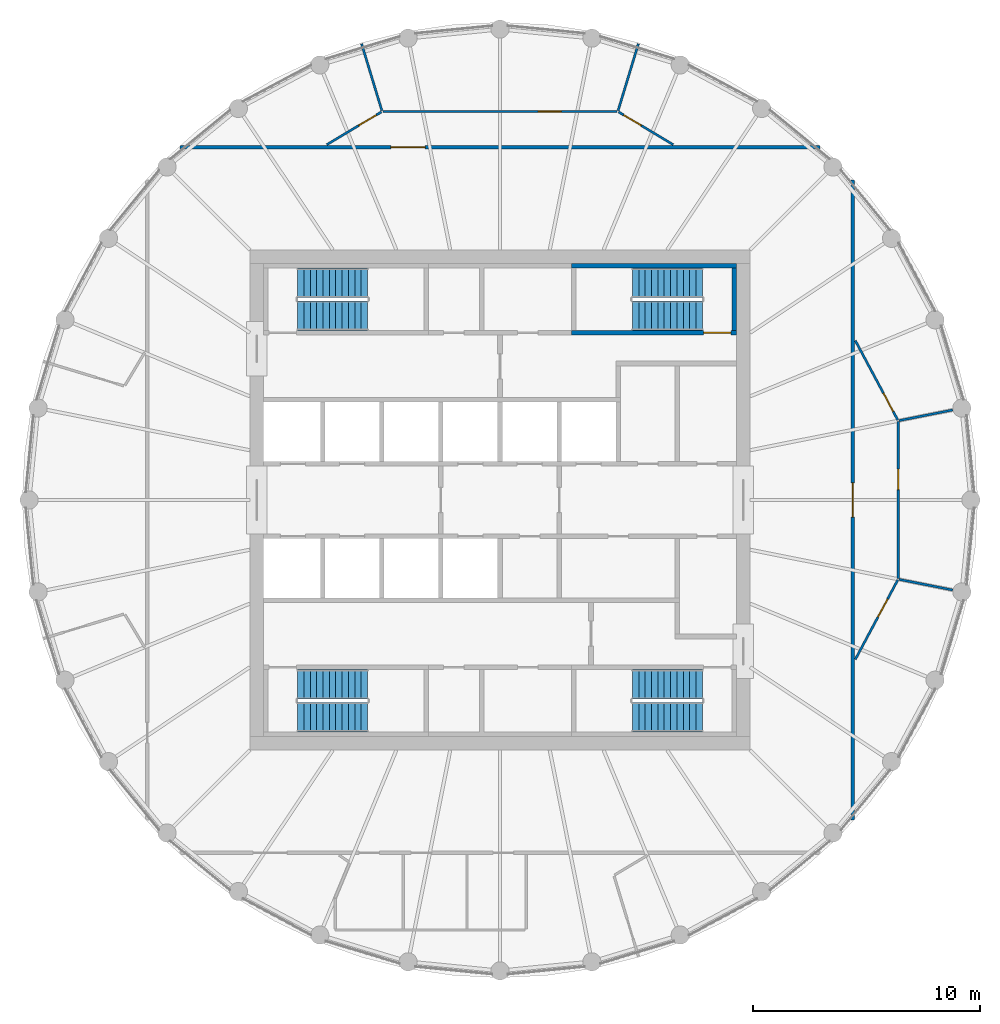
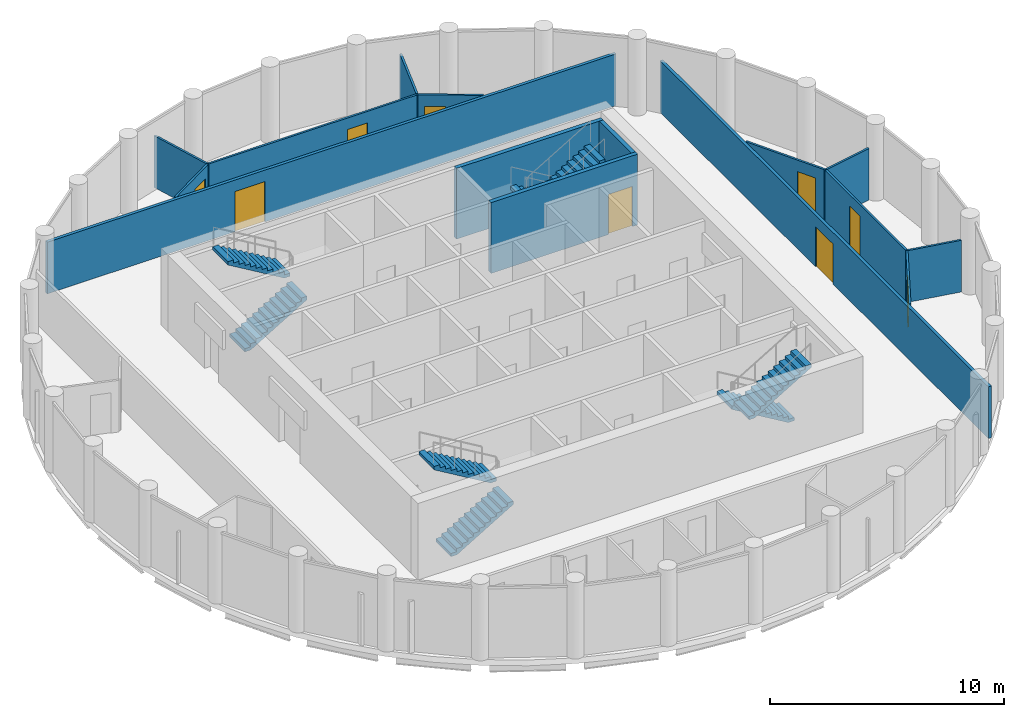
# One storey, part 6 of 7: 15 walls, 9 doors, 8 stair flights, 9 openings, 4 elements without a shape of their own.
"""IFC4 building model written with IfcOpenShell, lengths in metres."""

from ifc_helpers import new_model, si_unit, direction, frame, frame_2d, origin, place, context, subcontext, project, spatial, polyline, rectangle, outline, extrude, material, layer, layer_set, type_object, element, fill, aggregate, save


model = new_model("IFC4")

# Units and contexts
model_context = context("Model", 3, precision=1e-05, world=origin(), true_north=direction((0.0, 1.0)))
body_context = subcontext(model_context, "Body", "Model", "MODEL_VIEW")
ifc_project = project(units=[si_unit("LENGTHUNIT", "METRE"), si_unit("AREAUNIT", "SQUARE_METRE"), si_unit("VOLUMEUNIT", "CUBIC_METRE"), si_unit("PLANEANGLEUNIT", "RADIAN"), si_unit("MASSUNIT", "GRAM", prefix="KILO")], contexts=[model_context])

# Site, building, storey
site_placement = place(None, origin())
site = spatial("IfcSite", under=ifc_project, at=site_placement, CompositionType="ELEMENT")
building_placement = place(site_placement, origin())
building = spatial("IfcBuilding", under=site, at=building_placement, Name="Corvane Civic Tower", CompositionType="ELEMENT")
storey_placement = place(building_placement, frame((0.0, 0.0, 372.5)))
storey = spatial("IfcBuildingStorey", under=building, at=storey_placement, Name="L89", CompositionType="ELEMENT", Elevation=372.5)

# Wall, opening, door
ifc_material_1 = material(Name="Plasterboard")
ifc_layer_1 = layer(ifc_material_1, 0.10009765625)
ifc_layer_set_1 = layer_set([ifc_layer_1], Name="Plasterboard")
wall_type_1 = type_object("IfcWallType", Name="Partition 100 plasterboard on studs", PredefinedType="PARTITIONING", material=ifc_layer_set_1)
wall_1_placement = place(storey_placement, frame((15.619140625, -7.007080078125, 0.0), z_axis=(0.0, 0.0, 1.0), x_axis=(0.471410339005, 0.881913993697, 0.0)))
wall_1 = element("IfcWall", 1, at=wall_1_placement, inside=storey, type_object=wall_type_1, Name="Partition L89.013", PredefinedType="PARTITIONING", context=body_context, shape_type="SweptSolid", body=[
    extrude(rectangle(XDim=3.96044921875, YDim=0.10009765625, at=frame_2d((1.980224609375, 0.0))), origin(), (0.0, 0.0, 1.0), 2.699951171875),
])
opening_1_placement = place(wall_1_placement, frame((2.110107421875, 0.0, 0.0)))
opening_1 = element("IfcOpeningElement", 2, at=opening_1_placement, cuts=wall_1, Name="Opening L89.007", PredefinedType="OPENING", context=body_context, shape_type="SweptSolid", body=[
    extrude(rectangle(XDim=0.89990234375, YDim=2.10009765625, at=frame_2d((0.449951171875, 1.050048828125))), frame((0.0, 0.06005859375, 0.0), z_axis=(0.0, -1.0, 0.0), x_axis=(1.0, 0.0, 0.0)), (0.0, 0.0, 1.0), 0.1201171875),
])
ifc_material_2 = material(Name="Timber", Category="wood")
door_type_1 = type_object("IfcDoorType", Name="Single door 900", OperationType="NOTDEFINED", PredefinedType="DOOR", material=ifc_material_2)
door_1_placement = place(opening_1_placement, frame((0.89990234375, 0.0, 0.0), z_axis=(0.0, 0.0, 1.0), x_axis=(-1.0, 0.0, 0.0)))
door_1 = element("IfcDoor", 3, at=door_1_placement, inside=storey, type_object=door_type_1, Name="Door L89.007", OperationType="SINGLE_SWING_LEFT", OverallHeight=2.10009765625, OverallWidth=0.89990234375, PredefinedType="DOOR", context=body_context, shape_type="SweptSolid", body=[
    extrude(rectangle(XDim=0.89990234375, YDim=2.10009765625, at=frame_2d((0.449951171875, 1.050048828125))), frame((0.0, 0.02490234375, 0.0), z_axis=(0.0, -1.0, 0.0), x_axis=(1.0, 0.0, 0.0)), (0.0, 0.0, 1.0), 0.050048828125),
])
fill(opening_1, door_1)

# Wall
wall_2_placement = place(storey_placement, frame((17.543701171875, -3.48974609375, 0.0), z_axis=(0.0, 0.0, 1.0), x_axis=(0.980783378237, -0.195099884606, 0.0)))
element("IfcWall", 4, at=wall_2_placement, inside=storey, type_object=wall_type_1, Name="Partition L89.016", PredefinedType="PARTITIONING", context=body_context, shape_type="SweptSolid", body=[
    extrude(rectangle(XDim=2.402587890625, YDim=0.10009765625, at=frame_2d((1.201171875, 0.0))), origin(), (0.0, 0.0, 1.0), 2.699951171875),
])

# Wall, opening, door
wall_3_placement = place(storey_placement, frame((17.503662109375, -3.440673828125, 0.0), z_axis=(0.0, 0.0, 1.0), x_axis=(0.0, 1.0, 0.0)))
wall_3 = element("IfcWall", 5, at=wall_3_placement, inside=storey, type_object=wall_type_1, Name="Partition L89.017", PredefinedType="PARTITIONING", context=body_context, shape_type="SweptSolid", body=[
    extrude(rectangle(XDim=6.88134765625, YDim=0.10009765625, at=frame_2d((3.440673828125, 0.0))), origin(), (0.0, 0.0, 1.0), 2.699951171875),
])
opening_2_placement = place(wall_3_placement, frame((3.8974609375, 0.0, 0.0)))
opening_2 = element("IfcOpeningElement", 6, at=opening_2_placement, cuts=wall_3, Name="Opening L89.006", PredefinedType="OPENING", context=body_context, shape_type="SweptSolid", body=[
    extrude(rectangle(XDim=0.89990234375, YDim=2.10009765625, at=frame_2d((0.449951171875, 1.050048828125))), frame((0.0, 0.06005859375, 0.0), z_axis=(0.0, -1.0, 0.0), x_axis=(1.0, 0.0, 0.0)), (0.0, 0.0, 1.0), 0.1201171875),
])
door_2_placement = place(opening_2_placement, frame((0.89990234375, 0.0, 0.0), z_axis=(0.0, 0.0, 1.0), x_axis=(-1.0, 0.0, 0.0)))
door_2 = element("IfcDoor", 7, at=door_2_placement, inside=storey, type_object=door_type_1, Name="Door L89.006", OperationType="SINGLE_SWING_RIGHT", OverallHeight=2.10009765625, OverallWidth=0.89990234375, PredefinedType="DOOR", context=body_context, shape_type="SweptSolid", body=[
    extrude(rectangle(XDim=0.89990234375, YDim=2.10009765625, at=frame_2d((0.449951171875, 1.050048828125))), frame((0.0, 0.02490234375, 0.0), z_axis=(0.0, -1.0, 0.0), x_axis=(1.0, 0.0, 0.0)), (0.0, 0.0, 1.0), 0.050048828125),
])
fill(opening_2, door_2)

# Wall
wall_4_placement = place(storey_placement, frame((17.543701171875, 3.48974609375, 0.0), z_axis=(0.0, 0.0, 1.0), x_axis=(0.980783378237, 0.195099884606, 0.0)))
element("IfcWall", 8, at=wall_4_placement, inside=storey, type_object=wall_type_1, Name="Partition L89.018", PredefinedType="PARTITIONING", context=body_context, shape_type="SweptSolid", body=[
    extrude(rectangle(XDim=2.402587890625, YDim=0.10009765625, at=frame_2d((1.201171875, 0.0))), origin(), (0.0, 0.0, 1.0), 2.699951171875),
])

# Wall, opening, door
wall_5_placement = place(storey_placement, frame((15.619140625, 7.007080078125, 0.0), z_axis=(0.0, 0.0, 1.0), x_axis=(0.471410339005, -0.881913993697, 0.0)))
wall_5 = element("IfcWall", 9, at=wall_5_placement, inside=storey, type_object=wall_type_1, Name="Partition L89.019", PredefinedType="PARTITIONING", context=body_context, shape_type="SweptSolid", body=[
    extrude(rectangle(XDim=3.96044921875, YDim=0.10009765625, at=frame_2d((1.980224609375, 0.0))), origin(), (0.0, 0.0, 1.0), 2.699951171875),
])
opening_3_placement = place(wall_5_placement, frame((2.624267578125, 0.0, 0.0)))
opening_3 = element("IfcOpeningElement", 10, at=opening_3_placement, cuts=wall_5, Name="Opening L89.005", PredefinedType="OPENING", context=body_context, shape_type="SweptSolid", body=[
    extrude(rectangle(XDim=0.89990234375, YDim=2.10009765625, at=frame_2d((0.449951171875, 1.050048828125))), frame((0.0, 0.06005859375, 0.0), z_axis=(0.0, -1.0, 0.0), x_axis=(1.0, 0.0, 0.0)), (0.0, 0.0, 1.0), 0.1201171875),
])
door_3_placement = place(opening_3_placement, origin())
door_3 = element("IfcDoor", 11, at=door_3_placement, inside=storey, type_object=door_type_1, Name="Door L89.005", OperationType="SINGLE_SWING_LEFT", OverallHeight=2.10009765625, OverallWidth=0.89990234375, PredefinedType="DOOR", context=body_context, shape_type="SweptSolid", body=[
    extrude(rectangle(XDim=0.89990234375, YDim=2.10009765625, at=frame_2d((0.449951171875, 1.050048828125))), frame((0.0, 0.02490234375, 0.0), z_axis=(0.0, -1.0, 0.0), x_axis=(1.0, 0.0, 0.0)), (0.0, 0.0, 1.0), 0.050048828125),
])
fill(opening_3, door_3)

wall_6_placement = place(storey_placement, frame((-7.616455078125, 15.617919921875, 0.0), z_axis=(0.0, 0.0, 1.0), x_axis=(0.857723575737, 0.514111143262, 0.0)))
wall_6 = element("IfcWall", 12, at=wall_6_placement, inside=storey, type_object=wall_type_1, Name="Partition L89.023", PredefinedType="PARTITIONING", context=body_context, shape_type="SweptSolid", body=[
    extrude(rectangle(XDim=2.80078125, YDim=0.10009765625, at=frame_2d((1.400390625, 0.0))), origin(), (0.0, 0.0, 1.0), 2.699951171875),
])
opening_4_placement = place(wall_6_placement, frame((1.639892578125, 0.0, 0.0)))
opening_4 = element("IfcOpeningElement", 13, at=opening_4_placement, cuts=wall_6, Name="Opening L89.001", PredefinedType="OPENING", context=body_context, shape_type="SweptSolid", body=[
    extrude(rectangle(XDim=0.89990234375, YDim=2.10009765625, at=frame_2d((0.449951171875, 1.050048828125))), frame((0.0, 0.06005859375, 0.0), z_axis=(0.0, -1.0, 0.0), x_axis=(1.0, 0.0, 0.0)), (0.0, 0.0, 1.0), 0.1201171875),
])
door_4_placement = place(opening_4_placement, origin())
door_4 = element("IfcDoor", 14, at=door_4_placement, inside=storey, type_object=door_type_1, Name="Door L89.001", OperationType="SINGLE_SWING_LEFT", OverallHeight=2.10009765625, OverallWidth=0.89990234375, PredefinedType="DOOR", context=body_context, shape_type="SweptSolid", body=[
    extrude(rectangle(XDim=0.89990234375, YDim=2.10009765625, at=frame_2d((0.449951171875, 1.050048828125))), frame((0.0, 0.02490234375, 0.0), z_axis=(0.0, -1.0, 0.0), x_axis=(1.0, 0.0, 0.0)), (0.0, 0.0, 1.0), 0.050048828125),
])
fill(opening_4, door_4)

wall_7_placement = place(storey_placement, frame((5.214111328125, 17.057861328125, 0.0), z_axis=(0.0, 0.0, 1.0), x_axis=(0.857723575737, -0.514111143262, 0.0)))
wall_7 = element("IfcWall", 15, at=wall_7_placement, inside=storey, type_object=wall_type_1, Name="Partition L89.024", PredefinedType="PARTITIONING", context=body_context, shape_type="SweptSolid", body=[
    extrude(rectangle(XDim=2.80078125, YDim=0.10009765625, at=frame_2d((1.400390625, 0.0))), origin(), (0.0, 0.0, 1.0), 2.699951171875),
])
opening_5_placement = place(wall_7_placement, frame((0.260986328125, 0.0, 0.0)))
opening_5 = element("IfcOpeningElement", 16, at=opening_5_placement, cuts=wall_7, Name="Opening L89.003", PredefinedType="OPENING", context=body_context, shape_type="SweptSolid", body=[
    extrude(rectangle(XDim=0.89990234375, YDim=2.10009765625, at=frame_2d((0.449951171875, 1.050048828125))), frame((0.0, 0.06005859375, 0.0), z_axis=(0.0, -1.0, 0.0), x_axis=(1.0, 0.0, 0.0)), (0.0, 0.0, 1.0), 0.1201171875),
])
door_5_placement = place(opening_5_placement, origin())
door_5 = element("IfcDoor", 17, at=door_5_placement, inside=storey, type_object=door_type_1, Name="Door L89.003", OperationType="SINGLE_SWING_RIGHT", OverallHeight=2.10009765625, OverallWidth=0.89990234375, PredefinedType="DOOR", context=body_context, shape_type="SweptSolid", body=[
    extrude(rectangle(XDim=0.89990234375, YDim=2.10009765625, at=frame_2d((0.449951171875, 1.050048828125))), frame((0.0, 0.02490234375, 0.0), z_axis=(0.0, -1.0, 0.0), x_axis=(1.0, 0.0, 0.0)), (0.0, 0.0, 1.0), 0.050048828125),
])
fill(opening_5, door_5)

wall_8_placement = place(storey_placement, frame((-5.1435546875, 17.077880859375, 0.0), z_axis=(0.0, 0.0, 1.0), x_axis=(1.0, 0.0, 0.0)))
wall_8 = element("IfcWall", 18, at=wall_8_placement, inside=storey, type_object=wall_type_1, Name="Partition L89.025", PredefinedType="PARTITIONING", context=body_context, shape_type="SweptSolid", body=[
    extrude(rectangle(XDim=10.287109375, YDim=0.10009765625, at=frame_2d((5.1435546875, 0.0))), origin(), (0.0, 0.0, 1.0), 2.699951171875),
])
opening_6_placement = place(wall_8_placement, frame((6.833740234375, 0.0, 0.0)))
opening_6 = element("IfcOpeningElement", 19, at=opening_6_placement, cuts=wall_8, Name="Opening L89.002", PredefinedType="OPENING", context=body_context, shape_type="SweptSolid", body=[
    extrude(rectangle(XDim=1.0, YDim=2.10009765625, at=frame_2d((0.5, 1.050048828125))), frame((0.0, 0.06005859375, 0.0), z_axis=(0.0, -1.0, 0.0), x_axis=(1.0, 0.0, 0.0)), (0.0, 0.0, 1.0), 0.1201171875),
])
ifc_material_3 = material(Name="Timber", Category="wood")
door_type_2 = type_object("IfcDoorType", Name="Single door 1000", OperationType="NOTDEFINED", PredefinedType="DOOR", material=ifc_material_3)
door_6_placement = place(opening_6_placement, origin())
door_6 = element("IfcDoor", 20, at=door_6_placement, inside=storey, type_object=door_type_2, Name="Door L89.002", OperationType="SINGLE_SWING_LEFT", OverallHeight=2.10009765625, OverallWidth=1.0, PredefinedType="DOOR", context=body_context, shape_type="SweptSolid", body=[
    extrude(rectangle(XDim=1.0, YDim=2.10009765625, at=frame_2d((0.5, 1.050048828125))), frame((0.0, 0.02490234375, 0.0), z_axis=(0.0, -1.0, 0.0), x_axis=(1.0, 0.0, 0.0)), (0.0, 0.0, 1.0), 0.050048828125),
])
fill(opening_6, door_6)

# Walls
for number, where, z_axis, x_axis, name in (
    (21, (-6.08154296875, 20.048095703125, 0.0), (0.0, 0.0, 1.0), (0.290277111957, -0.956942630608, 0.0), "Partition L89.026"),
    (22, (5.19189453125, 17.115234375, 0.0), (0.0, 0.0, 1.0), (0.290277111957, 0.956942630608, 0.0), "Partition L89.027"),
):
    element("IfcWall", number, at=place(storey_placement, frame(where, z_axis=z_axis, x_axis=x_axis)), inside=storey, type_object=wall_type_1, Name=name, PredefinedType="PARTITIONING", context=body_context, shape_type="SweptSolid", body=[
        extrude(rectangle(XDim=3.06494140625, YDim=0.10009765625, at=frame_2d((1.532470703125, 0.0))), origin(), (0.0, 0.0, 1.0), 2.699951171875),
    ])

# Wall, opening, door
ifc_material_4 = material(Name="Concrete C50/60", Category="concrete")
ifc_layer_2 = layer(ifc_material_4, 0.199951171875)
ifc_layer_set_2 = layer_set([ifc_layer_2], Name="Concrete C50/60")
wall_type_2 = type_object("IfcWallType", Name="ST-WALL-200", PredefinedType="SHEAR", material=ifc_layer_set_2)
wall_9_placement = place(storey_placement, frame((3.14990234375, 7.35009765625, 0.0), z_axis=(0.0, 0.0, 1.0), x_axis=(1.0, 0.0, 0.0)))
wall_9 = element("IfcWall", 23, at=wall_9_placement, inside=storey, type_object=wall_type_2, Name="L89 stair enclosure wall", PredefinedType="SHEAR", context=body_context, shape_type="SweptSolid", body=[
    extrude(rectangle(XDim=7.25, YDim=0.199951171875, at=frame_2d((3.625, 0.0))), origin(), (0.0, 0.0, 1.0), 3.699951171875),
])
opening_7_placement = place(wall_9_placement, frame((5.800048828125, 0.0, 0.0)))
opening_7 = element("IfcOpeningElement", 24, at=opening_7_placement, cuts=wall_9, Name="Opening L89.C10", PredefinedType="OPENING", context=body_context, shape_type="SweptSolid", body=[
    extrude(rectangle(XDim=1.199951171875, YDim=2.10009765625, at=frame_2d((0.60009765625, 1.050048828125))), frame((0.0, 0.10986328125, 0.0), z_axis=(0.0, -1.0, 0.0), x_axis=(1.0, 0.0, 0.0)), (0.0, 0.0, 1.0), 0.219970703125),
])
ifc_material_5 = material(Name="Steel fire door leaf", Category="steel")
door_type_3 = type_object("IfcDoorType", Name="ST-DOOR-1200", OperationType="SINGLE_SWING_RIGHT", PredefinedType="DOOR", material=ifc_material_5)
door_7_placement = place(opening_7_placement, origin())
door_7 = element("IfcDoor", 25, at=door_7_placement, inside=storey, type_object=door_type_3, Name="L89 stair door", OperationType="SINGLE_SWING_RIGHT", OverallHeight=2.10009765625, OverallWidth=1.199951171875, PredefinedType="DOOR", context=body_context, shape_type="SweptSolid", body=[
    extrude(rectangle(XDim=1.199951171875, YDim=2.10009765625, at=frame_2d((0.60009765625, 1.050048828125))), frame((0.0, 0.02490234375, 0.0), z_axis=(0.0, -1.0, 0.0), x_axis=(1.0, 0.0, 0.0)), (0.0, 0.0, 1.0), 0.050048828125),
])
fill(opening_7, door_7)

# Walls
wall_10_placement = place(storey_placement, origin())
element("IfcWall", 26, at=wall_10_placement, inside=storey, type_object=wall_type_2, Name="L89 stair enclosure wall", PredefinedType="SHEAR", context=body_context, shape_type="SweptSolid", body=[
    extrude(outline(polyline([(10.39990234375, 10.199951171875), (3.14990234375, 10.199951171875), (3.14990234375, 10.39990234375), (10.39990234375, 10.39990234375), (10.39990234375, 10.199951171875)])), origin(), (0.0, 0.0, 1.0), 3.699951171875),
])
wall_11_placement = place(storey_placement, origin())
element("IfcWall", 27, at=wall_11_placement, inside=storey, type_object=wall_type_2, Name="L89 stair enclosure wall", PredefinedType="SHEAR", context=body_context, shape_type="SweptSolid", body=[
    extrude(outline(polyline([(10.39990234375, 7.449951171875), (10.199951171875, 7.449951171875), (10.199951171875, 10.199951171875), (10.39990234375, 10.199951171875), (10.39990234375, 7.449951171875)])), origin(), (0.0, 0.0, 1.0), 3.699951171875),
])

# Wall, opening, door
ifc_material_6 = material(Name="Plasterboard")
ifc_layer_3 = layer(ifc_material_6, 0.14990234375)
ifc_layer_set_3 = layer_set([ifc_layer_3], Name="Plasterboard")
wall_type_3 = type_object("IfcWallType", Name="Tenancy wall 150 EI 60", PredefinedType="PARTITIONING", material=ifc_layer_set_3)
wall_12_placement = place(storey_placement, frame((15.5, -14.05712890625, 0.0), z_axis=(0.0, 0.0, 1.0), x_axis=(0.0, 1.0, 0.0)))
wall_12 = element("IfcWall", 28, at=wall_12_placement, inside=storey, type_object=wall_type_3, Name="Partition L89.012", PredefinedType="PARTITIONING", context=body_context, shape_type="SweptSolid", body=[
    extrude(rectangle(XDim=28.1142578125, YDim=0.14990234375, at=frame_2d((14.05712890625, 0.0))), origin(), (0.0, 0.0, 1.0), 2.699951171875),
])
opening_8_placement = place(wall_12_placement, frame((13.30712890625, 0.0, 0.0)))
opening_8 = element("IfcOpeningElement", 29, at=opening_8_placement, cuts=wall_12, Name="Opening L89.008", PredefinedType="OPENING", context=body_context, shape_type="SweptSolid", body=[
    extrude(rectangle(XDim=1.5, YDim=2.10009765625, at=frame_2d((0.75, 1.050048828125))), frame((0.0, 0.0849609375, 0.0), z_axis=(0.0, -1.0, 0.0), x_axis=(1.0, 0.0, 0.0)), (0.0, 0.0, 1.0), 0.169921875),
])
ifc_material_7 = material(Name="Steel and timber", Category="steel")
door_type_4 = type_object("IfcDoorType", Name="Fire door FD60 double 1500", OperationType="NOTDEFINED", PredefinedType="DOOR", material=ifc_material_7)
door_8_placement = place(opening_8_placement, frame((1.5, 0.0, 0.0), z_axis=(0.0, 0.0, 1.0), x_axis=(-1.0, 0.0, 0.0)))
door_8 = element("IfcDoor", 30, at=door_8_placement, inside=storey, type_object=door_type_4, Name="Door L89.008", OperationType="DOUBLE_DOOR_SINGLE_SWING", OverallHeight=2.10009765625, OverallWidth=1.5, PredefinedType="DOOR", context=body_context, shape_type="SweptSolid", body=[
    extrude(rectangle(XDim=1.5, YDim=2.10009765625, at=frame_2d((0.75, 1.050048828125))), frame((0.0, 0.02490234375, 0.0), z_axis=(0.0, -1.0, 0.0), x_axis=(1.0, 0.0, 0.0)), (0.0, 0.0, 1.0), 0.050048828125),
])
fill(opening_8, door_8)

wall_13_placement = place(storey_placement, frame((-14.05712890625, 15.5, 0.0), z_axis=(0.0, 0.0, 1.0), x_axis=(1.0, 0.0, 0.0)))
wall_13 = element("IfcWall", 31, at=wall_13_placement, inside=storey, type_object=wall_type_3, Name="Partition L89.022", PredefinedType="PARTITIONING", context=body_context, shape_type="SweptSolid", body=[
    extrude(rectangle(XDim=28.1142578125, YDim=0.14990234375, at=frame_2d((14.05712890625, 0.0))), origin(), (0.0, 0.0, 1.0), 2.699951171875),
])
opening_9_placement = place(wall_13_placement, frame((9.263916015625, 0.0, 0.0)))
opening_9 = element("IfcOpeningElement", 32, at=opening_9_placement, cuts=wall_13, Name="Opening L89.004", PredefinedType="OPENING", context=body_context, shape_type="SweptSolid", body=[
    extrude(rectangle(XDim=1.5, YDim=2.10009765625, at=frame_2d((0.75, 1.050048828125))), frame((0.0, 0.0849609375, 0.0), z_axis=(0.0, -1.0, 0.0), x_axis=(1.0, 0.0, 0.0)), (0.0, 0.0, 1.0), 0.169921875),
])
door_9_placement = place(opening_9_placement, origin())
door_9 = element("IfcDoor", 33, at=door_9_placement, inside=storey, type_object=door_type_4, Name="Door L89.004", OperationType="DOUBLE_DOOR_SINGLE_SWING", OverallHeight=2.10009765625, OverallWidth=1.5, PredefinedType="DOOR", context=body_context, shape_type="SweptSolid", body=[
    extrude(rectangle(XDim=1.5, YDim=2.10009765625, at=frame_2d((0.75, 1.050048828125))), frame((0.0, 0.02490234375, 0.0), z_axis=(0.0, -1.0, 0.0), x_axis=(1.0, 0.0, 0.0)), (0.0, 0.0, 1.0), 0.050048828125),
])
fill(opening_9, door_9)

# Stair, stair flights
ifc_material_8 = material(Name="Concrete C40/50", Category="concrete")
stair_type = type_object("IfcStairType", Name="ST-STAIR-HALFTURN", PredefinedType="HALF_TURN_STAIR", material=ifc_material_8)
stair_1_placement = place(storey_placement, origin())
stair_1 = element("IfcStair", 34, at=stair_1_placement, inside=storey, type_object=stair_type, Name="L89 Exit stair ST1", PredefinedType="HALF_TURN_STAIR")
ifc_material_9 = material(Name="Concrete C40/50", Category="concrete")
stair_flight_type = type_object("IfcStairFlightType", Name="ST-FLIGHT-RC", PredefinedType="STRAIGHT", material=ifc_material_9)
stair_flight_1_placement = place(storey_placement, frame((8.89990234375, 9.550048828125, 0.0), z_axis=(0.0, 0.0, 1.0), x_axis=(-1.0, 0.0, 0.0)))
stair_flight_1 = element("IfcStairFlight", 35, at=stair_flight_1_placement, type_object=stair_flight_type, Name="ST1 flight 1", NumberOfRisers=12, NumberOfTreads=11, PredefinedType="STRAIGHT", RiserHeight=0.166666667, TreadLength=0.28, context=body_context, shape_type="SweptSolid", body=[
    extrude(outline(polyline([(0.0, 0.0), (0.0, 0.166748046875), (0.280029296875, 0.166748046875), (0.280029296875, 0.333251953125), (0.56005859375, 0.333251953125), (0.56005859375, 0.5), (0.840087890625, 0.5), (0.840087890625, 0.666748046875), (1.1201171875, 0.666748046875), (1.1201171875, 0.833251953125), (1.39990234375, 0.833251953125), (1.39990234375, 1.0), (1.679931640625, 1.0), (1.679931640625, 1.166748046875), (1.9599609375, 1.166748046875), (1.9599609375, 1.333251953125), (2.239990234375, 1.333251953125), (2.239990234375, 1.5), (2.52001953125, 1.5), (2.52001953125, 1.666748046875), (2.800048828125, 1.666748046875), (2.800048828125, 1.833251953125), (3.080078125, 1.833251953125), (3.080078125, 2.0), (3.080078125, 1.658935546875), (0.29296875, 0.0), (0.0, 0.0)])), frame((0.0, 0.64990234375, 0.0), z_axis=(0.0, -1.0, 0.0), x_axis=(1.0, 0.0, 0.0)), (0.0, 0.0, 1.0), 1.300048828125),
])
stair_flight_2_placement = place(storey_placement, frame((5.820068359375, 8.10009765625, 2.0), z_axis=(0.0, 0.0, 1.0), x_axis=(1.0, 0.0, 0.0)))
stair_flight_2 = element("IfcStairFlight", 36, at=stair_flight_2_placement, type_object=stair_flight_type, Name="ST1 flight 2", NumberOfRisers=12, NumberOfTreads=11, PredefinedType="STRAIGHT", RiserHeight=0.166666667, TreadLength=0.28, context=body_context, shape_type="SweptSolid", body=[
    extrude(outline(polyline([(0.0, 0.0), (0.0, 0.166748046875), (0.280029296875, 0.166748046875), (0.280029296875, 0.333251953125), (0.56005859375, 0.333251953125), (0.56005859375, 0.5), (0.840087890625, 0.5), (0.840087890625, 0.666748046875), (1.1201171875, 0.666748046875), (1.1201171875, 0.833251953125), (1.39990234375, 0.833251953125), (1.39990234375, 1.0), (1.679931640625, 1.0), (1.679931640625, 1.166748046875), (1.9599609375, 1.166748046875), (1.9599609375, 1.333251953125), (2.239990234375, 1.333251953125), (2.239990234375, 1.5), (2.52001953125, 1.5), (2.52001953125, 1.666748046875), (2.800048828125, 1.666748046875), (2.800048828125, 1.833251953125), (3.080078125, 1.833251953125), (3.080078125, 2.0), (3.080078125, 1.658935546875), (0.29296875, 0.0), (0.0, 0.0)])), frame((0.0, 0.64990234375, 0.0), z_axis=(0.0, -1.0, 0.0), x_axis=(1.0, 0.0, 0.0)), (0.0, 0.0, 1.0), 1.300048828125),
])
aggregate(stair_1, [stair_flight_1, stair_flight_2])

stair_2_placement = place(storey_placement, origin())
stair_2 = element("IfcStair", 37, at=stair_2_placement, inside=storey, type_object=stair_type, Name="L89 Exit stair ST2", PredefinedType="HALF_TURN_STAIR")
stair_flight_3_placement = place(storey_placement, frame((8.89990234375, -8.10009765625, 0.0), z_axis=(0.0, 0.0, 1.0), x_axis=(-1.0, 0.0, 0.0)))
stair_flight_3 = element("IfcStairFlight", 38, at=stair_flight_3_placement, type_object=stair_flight_type, Name="ST2 flight 1", NumberOfRisers=12, NumberOfTreads=11, PredefinedType="STRAIGHT", RiserHeight=0.166666667, TreadLength=0.28, context=body_context, shape_type="SweptSolid", body=[
    extrude(outline(polyline([(0.0, 0.0), (0.0, 0.166748046875), (0.280029296875, 0.166748046875), (0.280029296875, 0.333251953125), (0.56005859375, 0.333251953125), (0.56005859375, 0.5), (0.840087890625, 0.5), (0.840087890625, 0.666748046875), (1.1201171875, 0.666748046875), (1.1201171875, 0.833251953125), (1.39990234375, 0.833251953125), (1.39990234375, 1.0), (1.679931640625, 1.0), (1.679931640625, 1.166748046875), (1.9599609375, 1.166748046875), (1.9599609375, 1.333251953125), (2.239990234375, 1.333251953125), (2.239990234375, 1.5), (2.52001953125, 1.5), (2.52001953125, 1.666748046875), (2.800048828125, 1.666748046875), (2.800048828125, 1.833251953125), (3.080078125, 1.833251953125), (3.080078125, 2.0), (3.080078125, 1.658935546875), (0.29296875, 0.0), (0.0, 0.0)])), frame((0.0, 0.64990234375, 0.0), z_axis=(0.0, -1.0, 0.0), x_axis=(1.0, 0.0, 0.0)), (0.0, 0.0, 1.0), 1.300048828125),
])
stair_flight_4_placement = place(storey_placement, frame((5.820068359375, -9.550048828125, 2.0), z_axis=(0.0, 0.0, 1.0), x_axis=(1.0, 0.0, 0.0)))
stair_flight_4 = element("IfcStairFlight", 39, at=stair_flight_4_placement, type_object=stair_flight_type, Name="ST2 flight 2", NumberOfRisers=12, NumberOfTreads=11, PredefinedType="STRAIGHT", RiserHeight=0.166666667, TreadLength=0.28, context=body_context, shape_type="SweptSolid", body=[
    extrude(outline(polyline([(0.0, 0.0), (0.0, 0.166748046875), (0.280029296875, 0.166748046875), (0.280029296875, 0.333251953125), (0.56005859375, 0.333251953125), (0.56005859375, 0.5), (0.840087890625, 0.5), (0.840087890625, 0.666748046875), (1.1201171875, 0.666748046875), (1.1201171875, 0.833251953125), (1.39990234375, 0.833251953125), (1.39990234375, 1.0), (1.679931640625, 1.0), (1.679931640625, 1.166748046875), (1.9599609375, 1.166748046875), (1.9599609375, 1.333251953125), (2.239990234375, 1.333251953125), (2.239990234375, 1.5), (2.52001953125, 1.5), (2.52001953125, 1.666748046875), (2.800048828125, 1.666748046875), (2.800048828125, 1.833251953125), (3.080078125, 1.833251953125), (3.080078125, 2.0), (3.080078125, 1.658935546875), (0.29296875, 0.0), (0.0, 0.0)])), frame((0.0, 0.64990234375, 0.0), z_axis=(0.0, -1.0, 0.0), x_axis=(1.0, 0.0, 0.0)), (0.0, 0.0, 1.0), 1.300048828125),
])
aggregate(stair_2, [stair_flight_3, stair_flight_4])

stair_3_placement = place(storey_placement, origin())
stair_3 = element("IfcStair", 40, at=stair_3_placement, inside=storey, type_object=stair_type, Name="L89 Exit stair ST3", PredefinedType="HALF_TURN_STAIR")
stair_flight_5_placement = place(storey_placement, frame((-8.89990234375, -9.550048828125, 0.0), z_axis=(0.0, 0.0, 1.0), x_axis=(1.0, 0.0, 0.0)))
stair_flight_5 = element("IfcStairFlight", 41, at=stair_flight_5_placement, type_object=stair_flight_type, Name="ST3 flight 1", NumberOfRisers=12, NumberOfTreads=11, PredefinedType="STRAIGHT", RiserHeight=0.166666667, TreadLength=0.28, context=body_context, shape_type="SweptSolid", body=[
    extrude(outline(polyline([(0.0, 0.0), (0.0, 0.166748046875), (0.280029296875, 0.166748046875), (0.280029296875, 0.333251953125), (0.56005859375, 0.333251953125), (0.56005859375, 0.5), (0.840087890625, 0.5), (0.840087890625, 0.666748046875), (1.1201171875, 0.666748046875), (1.1201171875, 0.833251953125), (1.39990234375, 0.833251953125), (1.39990234375, 1.0), (1.679931640625, 1.0), (1.679931640625, 1.166748046875), (1.9599609375, 1.166748046875), (1.9599609375, 1.333251953125), (2.239990234375, 1.333251953125), (2.239990234375, 1.5), (2.52001953125, 1.5), (2.52001953125, 1.666748046875), (2.800048828125, 1.666748046875), (2.800048828125, 1.833251953125), (3.080078125, 1.833251953125), (3.080078125, 2.0), (3.080078125, 1.658935546875), (0.29296875, 0.0), (0.0, 0.0)])), frame((0.0, 0.64990234375, 0.0), z_axis=(0.0, -1.0, 0.0), x_axis=(1.0, 0.0, 0.0)), (0.0, 0.0, 1.0), 1.300048828125),
])
stair_flight_6_placement = place(storey_placement, frame((-5.820068359375, -8.10009765625, 2.0), z_axis=(0.0, 0.0, 1.0), x_axis=(-1.0, 0.0, 0.0)))
stair_flight_6 = element("IfcStairFlight", 42, at=stair_flight_6_placement, type_object=stair_flight_type, Name="ST3 flight 2", NumberOfRisers=12, NumberOfTreads=11, PredefinedType="STRAIGHT", RiserHeight=0.166666667, TreadLength=0.28, context=body_context, shape_type="SweptSolid", body=[
    extrude(outline(polyline([(0.0, 0.0), (0.0, 0.166748046875), (0.280029296875, 0.166748046875), (0.280029296875, 0.333251953125), (0.56005859375, 0.333251953125), (0.56005859375, 0.5), (0.840087890625, 0.5), (0.840087890625, 0.666748046875), (1.1201171875, 0.666748046875), (1.1201171875, 0.833251953125), (1.39990234375, 0.833251953125), (1.39990234375, 1.0), (1.679931640625, 1.0), (1.679931640625, 1.166748046875), (1.9599609375, 1.166748046875), (1.9599609375, 1.333251953125), (2.239990234375, 1.333251953125), (2.239990234375, 1.5), (2.52001953125, 1.5), (2.52001953125, 1.666748046875), (2.800048828125, 1.666748046875), (2.800048828125, 1.833251953125), (3.080078125, 1.833251953125), (3.080078125, 2.0), (3.080078125, 1.658935546875), (0.29296875, 0.0), (0.0, 0.0)])), frame((0.0, 0.64990234375, 0.0), z_axis=(0.0, -1.0, 0.0), x_axis=(1.0, 0.0, 0.0)), (0.0, 0.0, 1.0), 1.300048828125),
])
aggregate(stair_3, [stair_flight_5, stair_flight_6])

stair_4_placement = place(storey_placement, origin())
stair_4 = element("IfcStair", 43, at=stair_4_placement, inside=storey, type_object=stair_type, Name="L89 Exit stair ST4", PredefinedType="HALF_TURN_STAIR")
stair_flight_7_placement = place(storey_placement, frame((-8.89990234375, 8.10009765625, 0.0), z_axis=(0.0, 0.0, 1.0), x_axis=(1.0, 0.0, 0.0)))
stair_flight_7 = element("IfcStairFlight", 44, at=stair_flight_7_placement, type_object=stair_flight_type, Name="ST4 flight 1", NumberOfRisers=12, NumberOfTreads=11, PredefinedType="STRAIGHT", RiserHeight=0.166666667, TreadLength=0.28, context=body_context, shape_type="SweptSolid", body=[
    extrude(outline(polyline([(0.0, 0.0), (0.0, 0.166748046875), (0.280029296875, 0.166748046875), (0.280029296875, 0.333251953125), (0.56005859375, 0.333251953125), (0.56005859375, 0.5), (0.840087890625, 0.5), (0.840087890625, 0.666748046875), (1.1201171875, 0.666748046875), (1.1201171875, 0.833251953125), (1.39990234375, 0.833251953125), (1.39990234375, 1.0), (1.679931640625, 1.0), (1.679931640625, 1.166748046875), (1.9599609375, 1.166748046875), (1.9599609375, 1.333251953125), (2.239990234375, 1.333251953125), (2.239990234375, 1.5), (2.52001953125, 1.5), (2.52001953125, 1.666748046875), (2.800048828125, 1.666748046875), (2.800048828125, 1.833251953125), (3.080078125, 1.833251953125), (3.080078125, 2.0), (3.080078125, 1.658935546875), (0.29296875, 0.0), (0.0, 0.0)])), frame((0.0, 0.64990234375, 0.0), z_axis=(0.0, -1.0, 0.0), x_axis=(1.0, 0.0, 0.0)), (0.0, 0.0, 1.0), 1.300048828125),
])
stair_flight_8_placement = place(storey_placement, frame((-5.820068359375, 9.550048828125, 2.0), z_axis=(0.0, 0.0, 1.0), x_axis=(-1.0, 0.0, 0.0)))
stair_flight_8 = element("IfcStairFlight", 45, at=stair_flight_8_placement, type_object=stair_flight_type, Name="ST4 flight 2", NumberOfRisers=12, NumberOfTreads=11, PredefinedType="STRAIGHT", RiserHeight=0.166666667, TreadLength=0.28, context=body_context, shape_type="SweptSolid", body=[
    extrude(outline(polyline([(0.0, 0.0), (0.0, 0.166748046875), (0.280029296875, 0.166748046875), (0.280029296875, 0.333251953125), (0.56005859375, 0.333251953125), (0.56005859375, 0.5), (0.840087890625, 0.5), (0.840087890625, 0.666748046875), (1.1201171875, 0.666748046875), (1.1201171875, 0.833251953125), (1.39990234375, 0.833251953125), (1.39990234375, 1.0), (1.679931640625, 1.0), (1.679931640625, 1.166748046875), (1.9599609375, 1.166748046875), (1.9599609375, 1.333251953125), (2.239990234375, 1.333251953125), (2.239990234375, 1.5), (2.52001953125, 1.5), (2.52001953125, 1.666748046875), (2.800048828125, 1.666748046875), (2.800048828125, 1.833251953125), (3.080078125, 1.833251953125), (3.080078125, 2.0), (3.080078125, 1.658935546875), (0.29296875, 0.0), (0.0, 0.0)])), frame((0.0, 0.64990234375, 0.0), z_axis=(0.0, -1.0, 0.0), x_axis=(1.0, 0.0, 0.0)), (0.0, 0.0, 1.0), 1.300048828125),
])
aggregate(stair_4, [stair_flight_7, stair_flight_8])

save(model, "model.ifc")
